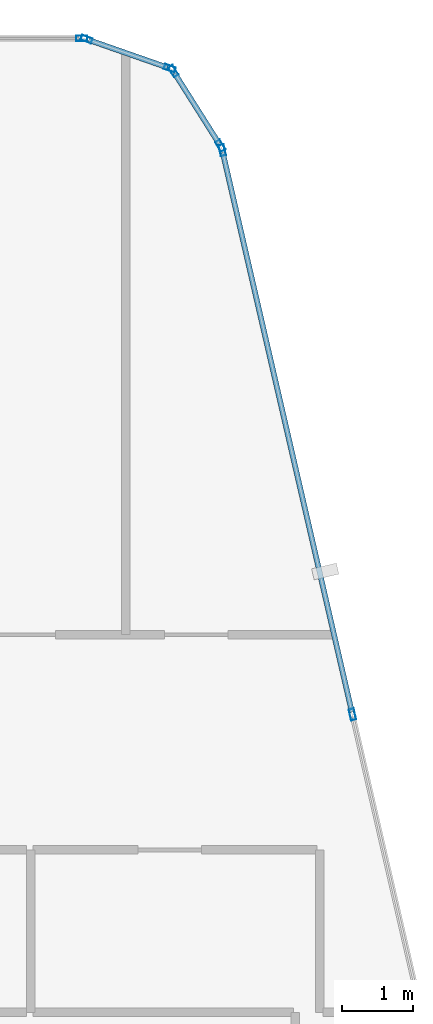
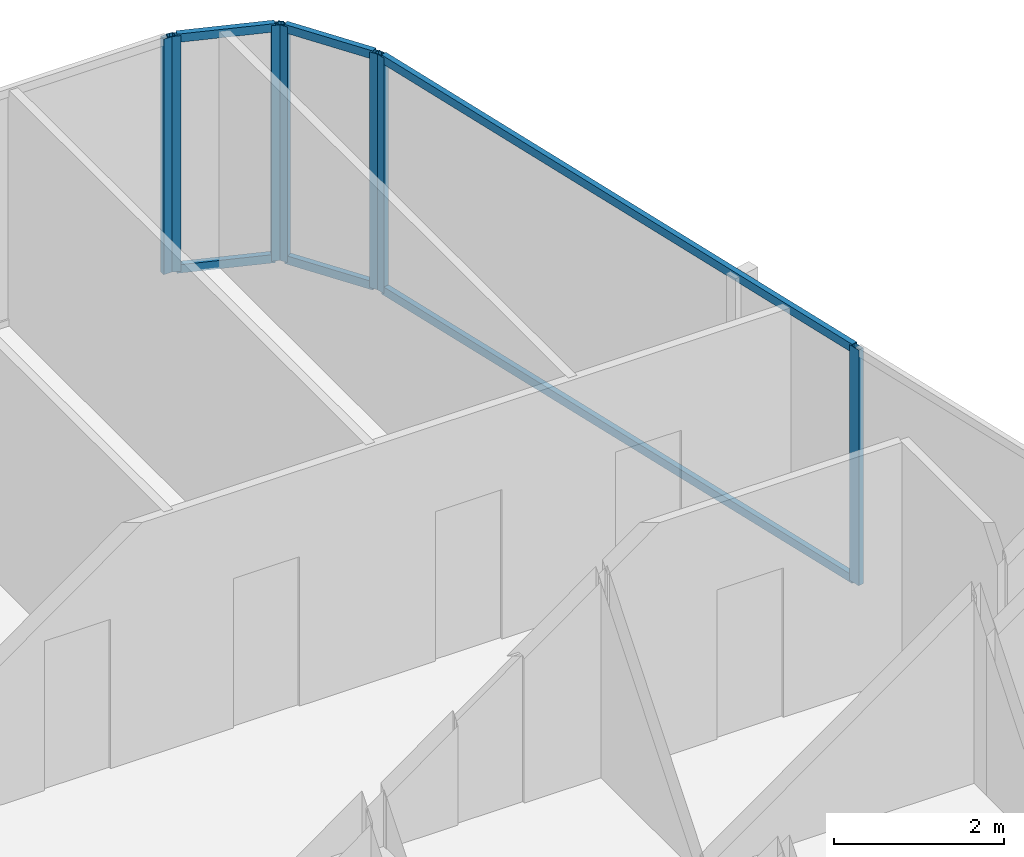
# One storey, part 19 of 28: 13 members, 4 elements without a shape of their own.
"""IFC4 building model written with IfcOpenShell, lengths in metres."""

from ifc_helpers import new_model, si_unit, direction, frame, origin, origin_2d, place, context, subcontext, project, spatial, hollow_rectangle, extrude, material, layer, layer_set, material_profile, profile_set, type_object, element, aggregate, save


model = new_model("IFC4")

# Units and contexts
model_context = context("Model", 3, precision=1e-05, world=origin(), true_north=direction((0.0, 1.0)))
body_context = subcontext(model_context, "Body", "Model", "MODEL_VIEW")
ifc_project = project(units=[si_unit("LENGTHUNIT", "METRE"), si_unit("AREAUNIT", "SQUARE_METRE"), si_unit("VOLUMEUNIT", "CUBIC_METRE"), si_unit("PLANEANGLEUNIT", "RADIAN"), si_unit("MASSUNIT", "GRAM", prefix="KILO")], contexts=[model_context])

# Site, building, storey
site_placement = place(None, origin())
site = spatial("IfcSite", under=ifc_project, at=site_placement, CompositionType="ELEMENT")
building_placement = place(site_placement, origin())
building = spatial("IfcBuilding", under=site, at=building_placement, Name="Keshet Zoharim Tower", CompositionType="ELEMENT")
storey_placement = place(building_placement, frame((0.0, 0.0, 251.0)))
storey = spatial("IfcBuildingStorey", under=building, at=storey_placement, Name="L62", CompositionType="ELEMENT", Elevation=251.0)

# Curtain wall, member
ifc_material = material(Name="Aluminium 6063-T6", Category="aluminium")
ifc_layer = layer(ifc_material, 0.260009765625)
ifc_layer_set = layer_set([ifc_layer], Name="Aluminium 6063-T6")
curtain_wall_type = type_object("IfcCurtainWallType", Name="CW-SYS-06", PredefinedType="NOTDEFINED", material=ifc_layer_set)
curtain_wall_1_placement = place(storey_placement, origin())
curtain_wall_1 = element("IfcCurtainWall", 1, at=curtain_wall_1_placement, inside=storey, type_object=curtain_wall_type, Name="L62 Unitised Curtain Wall 06 Part 5", PredefinedType="NOTDEFINED")
ifc_material_profile_1 = material_profile(ifc_material, hollow_rectangle(XDim=0.074951171875, YDim=0.159912109375, WallThickness=0.00390625, at=origin_2d()), Name="MUL-75x160")
ifc_profile_set_1 = profile_set([ifc_material_profile_1], Name="Aluminium 6063-T6")
member_type_1 = type_object("IfcMemberType", Name="CWM-M15", PredefinedType="MULLION", material=ifc_profile_set_1)
member_1_placement = place(storey_placement, frame((37.3740234375, 53.89990234375, 0.0), z_axis=(0.0, 0.0, 1.0), x_axis=(0.0, 1.0, 0.0)))
member_1 = element("IfcMember", 2, at=member_1_placement, type_object=member_type_1, Name="CW-06 mullion 2", PredefinedType="MULLION", context=body_context, shape_type="SweptSolid", body=[
    extrude(hollow_rectangle(XDim=0.074951171875, YDim=0.159912109375, WallThickness=0.00390625, at=origin_2d()), origin(), (0.0, 0.0, 1.0), 3.389892578125),
])
aggregate(curtain_wall_1, [member_1])

# Curtain wall, members
curtain_wall_2_placement = place(storey_placement, origin())
curtain_wall_2 = element("IfcCurtainWall", 3, at=curtain_wall_2_placement, inside=storey, type_object=curtain_wall_type, Name="L62 Unitised Curtain Wall 07", PredefinedType="NOTDEFINED")
member_2_placement = place(storey_placement, frame((37.442138671875, 53.888427734375, 0.0), z_axis=(0.0, 0.0, 1.0), x_axis=(0.329843743636, 0.944035542119, 0.0)))
member_2 = element("IfcMember", 4, at=member_2_placement, type_object=member_type_1, Name="CW-06 mullion 1", PredefinedType="MULLION", context=body_context, shape_type="SweptSolid", body=[
    extrude(hollow_rectangle(XDim=0.074951171875, YDim=0.159912109375, WallThickness=0.00390625, at=origin_2d()), origin(), (0.0, 0.0, 1.0), 3.389892578125),
])
member_3_placement = place(storey_placement, frame((38.620849609375, 53.4765625, 0.0), z_axis=(0.0, 0.0, 1.0), x_axis=(0.329843743636, 0.944035542119, 0.0)))
member_3 = element("IfcMember", 5, at=member_3_placement, type_object=member_type_1, Name="CW-06 mullion 2", PredefinedType="MULLION", context=body_context, shape_type="SweptSolid", body=[
    extrude(hollow_rectangle(XDim=0.074951171875, YDim=0.159912109375, WallThickness=0.00390625, at=origin_2d()), origin(), (0.0, 0.0, 1.0), 3.389892578125),
])

curtain_wall_3_placement = place(storey_placement, origin())
curtain_wall_3 = element("IfcCurtainWall", 6, at=curtain_wall_3_placement, inside=storey, type_object=curtain_wall_type, Name="L62 Unitised Curtain Wall 08", PredefinedType="NOTDEFINED")
member_4_placement = place(storey_placement, frame((38.672607421875, 53.435302734375, 0.0), z_axis=(0.0, 0.0, 1.0), x_axis=(0.845560976183, 0.533878858502, 0.0)))
member_4 = element("IfcMember", 7, at=member_4_placement, type_object=member_type_1, Name="CW-06 mullion 1", PredefinedType="MULLION", context=body_context, shape_type="SweptSolid", body=[
    extrude(hollow_rectangle(XDim=0.074951171875, YDim=0.159912109375, WallThickness=0.00390625, at=origin_2d()), origin(), (0.0, 0.0, 1.0), 3.389892578125),
])
member_5_placement = place(storey_placement, frame((39.33935546875, 52.379638671875, 0.0), z_axis=(0.0, 0.0, 1.0), x_axis=(0.845560976183, 0.533878858502, 0.0)))
member_5 = element("IfcMember", 8, at=member_5_placement, type_object=member_type_1, Name="CW-06 mullion 2", PredefinedType="MULLION", context=body_context, shape_type="SweptSolid", body=[
    extrude(hollow_rectangle(XDim=0.074951171875, YDim=0.159912109375, WallThickness=0.00390625, at=origin_2d()), origin(), (0.0, 0.0, 1.0), 3.389892578125),
])

curtain_wall_4_placement = place(storey_placement, origin())
curtain_wall_4 = element("IfcCurtainWall", 9, at=curtain_wall_4_placement, inside=storey, type_object=curtain_wall_type, Name="L62 Unitised Curtain Wall 09", PredefinedType="NOTDEFINED")
member_6_placement = place(storey_placement, frame((39.365966796875, 52.31591796875, 0.0), z_axis=(0.0, 0.0, 1.0), x_axis=(0.974398012932, 0.224829963294, 0.0)))
member_6 = element("IfcMember", 10, at=member_6_placement, type_object=member_type_1, Name="CW-06 mullion 1", PredefinedType="MULLION", context=body_context, shape_type="SweptSolid", body=[
    extrude(hollow_rectangle(XDim=0.074951171875, YDim=0.159912109375, WallThickness=0.00390625, at=origin_2d()), origin(), (0.0, 0.0, 1.0), 3.389892578125),
])
member_7_placement = place(storey_placement, frame((41.210693359375, 44.320556640625, 0.0), z_axis=(0.0, 0.0, 1.0), x_axis=(0.974398012932, 0.224829963294, 0.0)))
member_7 = element("IfcMember", 11, at=member_7_placement, type_object=member_type_1, Name="CW-06 mullion 2", PredefinedType="MULLION", context=body_context, shape_type="SweptSolid", body=[
    extrude(hollow_rectangle(XDim=0.074951171875, YDim=0.159912109375, WallThickness=0.00390625, at=origin_2d()), origin(), (0.0, 0.0, 1.0), 3.389892578125),
])

# Member
ifc_material_profile_2 = material_profile(ifc_material, hollow_rectangle(XDim=0.074951171875, YDim=0.1201171875, WallThickness=0.00390625, at=origin_2d()), Name="TRN-75x120")
ifc_profile_set_2 = profile_set([ifc_material_profile_2], Name="Aluminium 6063-T6")
member_type_2 = type_object("IfcMemberType", Name="CWT-T12", PredefinedType="USERDEFINED", material=ifc_profile_set_2)
member_8_placement = place(storey_placement, frame((37.47509765625, 53.876953125, 0.034912109375), z_axis=(0.944006789648, -0.329926023675, 0.0), x_axis=(0.329926023675, 0.944006789648, 0.0)))
member_8 = element("IfcMember", 12, at=member_8_placement, type_object=member_type_2, Name="CW-06 transom 1.1", ObjectType="TRANSOM", PredefinedType="USERDEFINED", context=body_context, shape_type="SweptSolid", body=[
    extrude(hollow_rectangle(XDim=0.074951171875, YDim=0.1201171875, WallThickness=0.00390625, at=origin_2d()), origin(), (0.0, 0.0, 1.0), 1.1787109375),
])

member_9_placement = place(storey_placement, frame((37.47509765625, 53.876953125, 3.35498046875), z_axis=(0.944006789648, -0.329926023675, 0.0), x_axis=(0.329926023675, 0.944006789648, 0.0)))
member_9 = element("IfcMember", 13, at=member_9_placement, type_object=member_type_2, Name="CW-06 transom 1.2", ObjectType="TRANSOM", PredefinedType="USERDEFINED", context=body_context, shape_type="SweptSolid", body=[
    extrude(hollow_rectangle(XDim=0.074951171875, YDim=0.1201171875, WallThickness=0.00390625, at=origin_2d()), origin(), (0.0, 0.0, 1.0), 1.1787109375),
])

aggregate(curtain_wall_2, [member_2, member_3, member_8, member_9])

member_10_placement = place(storey_placement, frame((38.69140625, 53.40576171875, 0.034912109375), z_axis=(0.53382931122, -0.845592257819, 0.0), x_axis=(0.845592257819, 0.53382931122, 0.0)))
member_10 = element("IfcMember", 14, at=member_10_placement, type_object=member_type_2, Name="CW-06 transom 1.1", ObjectType="TRANSOM", PredefinedType="USERDEFINED", context=body_context, shape_type="SweptSolid", body=[
    extrude(hollow_rectangle(XDim=0.074951171875, YDim=0.1201171875, WallThickness=0.00390625, at=origin_2d()), origin(), (0.0, 0.0, 1.0), 1.178466796875),
])

member_11_placement = place(storey_placement, frame((38.69140625, 53.40576171875, 3.35498046875), z_axis=(0.53382931122, -0.845592257819, 0.0), x_axis=(0.845592257819, 0.53382931122, 0.0)))
member_11 = element("IfcMember", 15, at=member_11_placement, type_object=member_type_2, Name="CW-06 transom 1.2", ObjectType="TRANSOM", PredefinedType="USERDEFINED", context=body_context, shape_type="SweptSolid", body=[
    extrude(hollow_rectangle(XDim=0.074951171875, YDim=0.1201171875, WallThickness=0.00390625, at=origin_2d()), origin(), (0.0, 0.0, 1.0), 1.178466796875),
])

aggregate(curtain_wall_3, [member_4, member_5, member_10, member_11])

member_12_placement = place(storey_placement, frame((39.373779296875, 52.28173828125, 0.034912109375), z_axis=(0.224835397421, -0.97439675906, 0.0), x_axis=(0.97439675906, 0.224835397421, 0.0)))
member_12 = element("IfcMember", 16, at=member_12_placement, type_object=member_type_2, Name="CW-06 transom 1.1", ObjectType="TRANSOM", PredefinedType="USERDEFINED", context=body_context, shape_type="SweptSolid", body=[
    extrude(hollow_rectangle(XDim=0.074951171875, YDim=0.1201171875, WallThickness=0.00390625, at=origin_2d()), origin(), (0.0, 0.0, 1.0), 8.13525390625),
])

member_13_placement = place(storey_placement, frame((39.373779296875, 52.28173828125, 3.35498046875), z_axis=(0.224835397421, -0.97439675906, 0.0), x_axis=(0.97439675906, 0.224835397421, 0.0)))
member_13 = element("IfcMember", 17, at=member_13_placement, type_object=member_type_2, Name="CW-06 transom 1.2", ObjectType="TRANSOM", PredefinedType="USERDEFINED", context=body_context, shape_type="SweptSolid", body=[
    extrude(hollow_rectangle(XDim=0.074951171875, YDim=0.1201171875, WallThickness=0.00390625, at=origin_2d()), origin(), (0.0, 0.0, 1.0), 8.13525390625),
])

aggregate(curtain_wall_4, [member_6, member_7, member_12, member_13])

save(model, "model.ifc")
